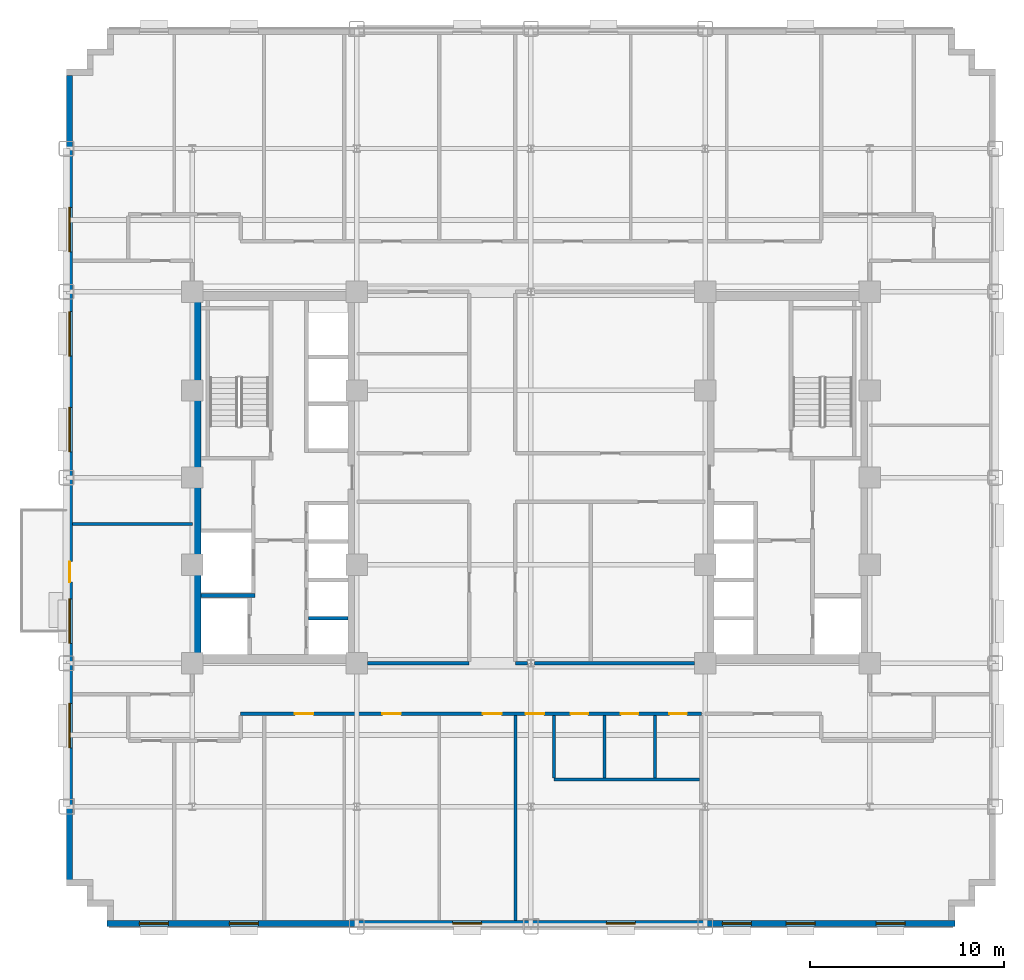
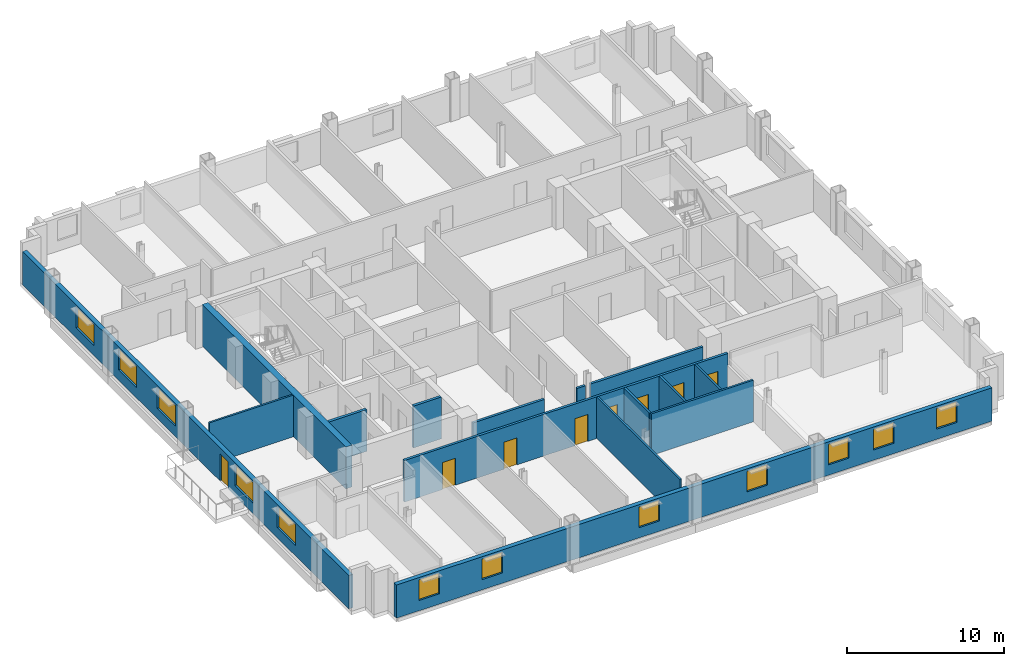
# One storey, part 6 of 14: 15 walls, 12 windows, 8 doors, 20 openings.
"""IFC4 building model written with IfcOpenShell, lengths in metres."""

from ifc_helpers import new_model, si_unit, direction, frame, frame_2d, origin, place, context, subcontext, project, spatial, rectangle, extrude, source, transform, mapped, material, layer, layer_set, type_object, type_shapes, element, fill, save


model = new_model("IFC4")

# Units and contexts
model_context = context("Model", 3, precision=1e-05, world=origin(), true_north=direction((0.0, 1.0)))
body_context = subcontext(model_context, "Body", "Model", "MODEL_VIEW")
ifc_project = project(units=[si_unit("LENGTHUNIT", "METRE"), si_unit("AREAUNIT", "SQUARE_METRE"), si_unit("VOLUMEUNIT", "CUBIC_METRE"), si_unit("PLANEANGLEUNIT", "RADIAN"), si_unit("MASSUNIT", "GRAM", prefix="KILO")], contexts=[model_context])

# Site, building, storey
site_placement = place(None, origin())
site = spatial("IfcSite", under=ifc_project, at=site_placement, CompositionType="ELEMENT")
building_placement = place(site_placement, origin())
building = spatial("IfcBuilding", under=site, at=building_placement, Name="Nuvemarco Arch Tower", CompositionType="ELEMENT")
storey_placement = place(building_placement, frame((0.0, 0.0, 89.64990234375)))
storey = spatial("IfcBuildingStorey", under=building, at=storey_placement, Name="L23", CompositionType="ELEMENT", Elevation=89.64990234375)

# Wall, openings, windows
ifc_material_1 = material(Name="Precast concrete C45/55", Category="concrete")
ifc_layer_1 = layer(ifc_material_1, 0.320068359375, Name="EW-MID-320")
ifc_layer_set_1 = layer_set([ifc_layer_1], Name="Precast concrete C45/55")
wall_type_1 = type_object("IfcWallType", Name="EW-MID-320", PredefinedType="STANDARD", material=ifc_layer_set_1)
wall_1_placement = place(storey_placement, frame((-21.89990234375, -23.0400390625, 0.0), z_axis=(0.0, 0.0, 1.0), x_axis=(1.0, 0.0, 0.0)))
wall_1 = element("IfcWall", 1, at=wall_1_placement, inside=storey, type_object=wall_type_1, Name="L23 exterior precast facade wall 1", PredefinedType="STANDARD", context=body_context, shape_type="SweptSolid", body=[
    extrude(rectangle(XDim=43.7998046875, YDim=0.320068359375, at=frame_2d((21.89990234375, 0.0))), origin(), (0.0, 0.0, 1.0), 2.585205078125),
])
opening_1_placement = place(wall_1_placement, frame((1.672119140625, 0.0, 0.800048828125)))
opening_1 = element("IfcOpeningElement", 2, at=opening_1_placement, cuts=wall_1, Name="Opening WN-11", PredefinedType="OPENING", context=body_context, shape_type="SweptSolid", body=[
    extrude(rectangle(XDim=1.5, YDim=1.60009765625, at=frame_2d((0.75, 0.800048828125))), frame((0.0, 0.169921875, 0.0), z_axis=(0.0, -1.0, 0.0), x_axis=(1.0, 0.0, 0.0)), (0.0, 0.0, 1.0), 0.340087890625),
])
opening_2_placement = place(wall_1_placement, frame((6.316650390625, 0.0, 0.800048828125)))
opening_2 = element("IfcOpeningElement", 3, at=opening_2_placement, cuts=wall_1, Name="Opening WN-11", PredefinedType="OPENING", context=body_context, shape_type="SweptSolid", body=[
    extrude(rectangle(XDim=1.5, YDim=1.60009765625, at=frame_2d((0.75, 0.800048828125))), frame((0.0, 0.169921875, 0.0), z_axis=(0.0, -1.0, 0.0), x_axis=(1.0, 0.0, 0.0)), (0.0, 0.0, 1.0), 0.340087890625),
])
opening_3_placement = place(wall_1_placement, frame((17.855712890625, 0.0, 0.800048828125)))
opening_3 = element("IfcOpeningElement", 4, at=opening_3_placement, cuts=wall_1, Name="Opening WN-11", PredefinedType="OPENING", context=body_context, shape_type="SweptSolid", body=[
    extrude(rectangle(XDim=1.5, YDim=1.60009765625, at=frame_2d((0.75, 0.800048828125))), frame((0.0, 0.169921875, 0.0), z_axis=(0.0, -1.0, 0.0), x_axis=(1.0, 0.0, 0.0)), (0.0, 0.0, 1.0), 0.340087890625),
])
opening_4_placement = place(wall_1_placement, frame((25.79443359375, 0.0, 0.800048828125)))
opening_4 = element("IfcOpeningElement", 5, at=opening_4_placement, cuts=wall_1, Name="Opening WN-11", PredefinedType="OPENING", context=body_context, shape_type="SweptSolid", body=[
    extrude(rectangle(XDim=1.5, YDim=1.60009765625, at=frame_2d((0.75, 0.800048828125))), frame((0.0, 0.169921875, 0.0), z_axis=(0.0, -1.0, 0.0), x_axis=(1.0, 0.0, 0.0)), (0.0, 0.0, 1.0), 0.340087890625),
])
opening_5_placement = place(wall_1_placement, frame((31.788818359375, 0.0, 0.800048828125)))
opening_5 = element("IfcOpeningElement", 6, at=opening_5_placement, cuts=wall_1, Name="Opening WN-11", PredefinedType="OPENING", context=body_context, shape_type="SweptSolid", body=[
    extrude(rectangle(XDim=1.5, YDim=1.60009765625, at=frame_2d((0.75, 0.800048828125))), frame((0.0, 0.169921875, 0.0), z_axis=(0.0, -1.0, 0.0), x_axis=(1.0, 0.0, 0.0)), (0.0, 0.0, 1.0), 0.340087890625),
])
opening_6_placement = place(wall_1_placement, frame((35.083251953125, 0.0, 0.800048828125)))
opening_6 = element("IfcOpeningElement", 7, at=opening_6_placement, cuts=wall_1, Name="Opening WN-11", PredefinedType="OPENING", context=body_context, shape_type="SweptSolid", body=[
    extrude(rectangle(XDim=1.5, YDim=1.60009765625, at=frame_2d((0.75, 0.800048828125))), frame((0.0, 0.169921875, 0.0), z_axis=(0.0, -1.0, 0.0), x_axis=(1.0, 0.0, 0.0)), (0.0, 0.0, 1.0), 0.340087890625),
])
opening_7_placement = place(wall_1_placement, frame((39.727783203125, 0.0, 0.800048828125)))
opening_7 = element("IfcOpeningElement", 8, at=opening_7_placement, cuts=wall_1, Name="Opening WN-11", PredefinedType="OPENING", context=body_context, shape_type="SweptSolid", body=[
    extrude(rectangle(XDim=1.5, YDim=1.60009765625, at=frame_2d((0.75, 0.800048828125))), frame((0.0, 0.169921875, 0.0), z_axis=(0.0, -1.0, 0.0), x_axis=(1.0, 0.0, 0.0)), (0.0, 0.0, 1.0), 0.340087890625),
])
ifc_material_2 = material(Name="Insulated solar-control glass", Category="glass")
window_type_1 = type_object("IfcWindowType", Name="WN-STEP-1500x1850", PartitioningType="SINGLE_PANEL", PredefinedType="WINDOW", material=ifc_material_2)
shared_shape_1 = source(origin(), body_context, "Body", "SweptSolid", [
    extrude(rectangle(XDim=1.5, YDim=1.60009765625, at=frame_2d((0.75, 0.800048828125))), frame((0.0, 0.030029296875, 0.0), z_axis=(0.0, -1.0, 0.0), x_axis=(1.0, 0.0, 0.0)), (0.0, 0.0, 1.0), 0.06005859375),
])
type_shapes(window_type_1, [shared_shape_1])
window_1_placement = place(opening_1_placement, origin())
window_1 = element("IfcWindow", 9, at=window_1_placement, inside=storey, type_object=window_type_1, Name="L23 punched facade window 1", OverallHeight=1.60009765625, OverallWidth=1.5, PartitioningType="SINGLE_PANEL", PredefinedType="WINDOW", context=body_context, shape_type="MappedRepresentation", body=[
    mapped(shared_shape_1, transform((0.0, 0.0, 0.0), scale=1.0)),
])
fill(opening_1, window_1)
window_2_placement = place(opening_2_placement, origin())
window_2 = element("IfcWindow", 10, at=window_2_placement, inside=storey, type_object=window_type_1, Name="L23 punched facade window 2", OverallHeight=1.60009765625, OverallWidth=1.5, PartitioningType="SINGLE_PANEL", PredefinedType="WINDOW", context=body_context, shape_type="MappedRepresentation", body=[
    mapped(shared_shape_1, transform((0.0, 0.0, 0.0), scale=1.0)),
])
fill(opening_2, window_2)
window_3_placement = place(opening_3_placement, origin())
window_3 = element("IfcWindow", 11, at=window_3_placement, inside=storey, type_object=window_type_1, Name="L23 punched facade window 4", OverallHeight=1.60009765625, OverallWidth=1.5, PartitioningType="SINGLE_PANEL", PredefinedType="WINDOW", context=body_context, shape_type="MappedRepresentation", body=[
    mapped(shared_shape_1, transform((0.0, 0.0, 0.0), scale=1.0)),
])
fill(opening_3, window_3)
window_4_placement = place(opening_4_placement, origin())
window_4 = element("IfcWindow", 12, at=window_4_placement, inside=storey, type_object=window_type_1, Name="L23 punched facade window 6", OverallHeight=1.60009765625, OverallWidth=1.5, PartitioningType="SINGLE_PANEL", PredefinedType="WINDOW", context=body_context, shape_type="MappedRepresentation", body=[
    mapped(shared_shape_1, transform((0.0, 0.0, 0.0), scale=1.0)),
])
fill(opening_4, window_4)
window_5_placement = place(opening_5_placement, origin())
window_5 = element("IfcWindow", 13, at=window_5_placement, inside=storey, type_object=window_type_1, Name="L23 punched facade window 7", OverallHeight=1.60009765625, OverallWidth=1.5, PartitioningType="SINGLE_PANEL", PredefinedType="WINDOW", context=body_context, shape_type="MappedRepresentation", body=[
    mapped(shared_shape_1, transform((0.0, 0.0, 0.0), scale=1.0)),
])
fill(opening_5, window_5)
window_6_placement = place(opening_6_placement, origin())
window_6 = element("IfcWindow", 14, at=window_6_placement, inside=storey, type_object=window_type_1, Name="L23 punched facade window 8", OverallHeight=1.60009765625, OverallWidth=1.5, PartitioningType="SINGLE_PANEL", PredefinedType="WINDOW", context=body_context, shape_type="MappedRepresentation", body=[
    mapped(shared_shape_1, transform((0.0, 0.0, 0.0), scale=1.0)),
])
fill(opening_6, window_6)
window_7_placement = place(opening_7_placement, origin())
window_7 = element("IfcWindow", 15, at=window_7_placement, inside=storey, type_object=window_type_1, Name="L23 punched facade window 9", OverallHeight=1.60009765625, OverallWidth=1.5, PartitioningType="SINGLE_PANEL", PredefinedType="WINDOW", context=body_context, shape_type="MappedRepresentation", body=[
    mapped(shared_shape_1, transform((0.0, 0.0, 0.0), scale=1.0)),
])
fill(opening_7, window_7)

# Wall, openings, door, windows
wall_2_placement = place(storey_placement, frame((-23.840087890625, -20.783935546875, 0.0), z_axis=(0.0, 0.0, 1.0), x_axis=(0.0, 1.0, 0.0)))
wall_2 = element("IfcWall", 16, at=wall_2_placement, inside=storey, type_object=wall_type_1, Name="L23 exterior precast facade wall 16", PredefinedType="STANDARD", context=body_context, shape_type="SweptSolid", body=[
    extrude(rectangle(XDim=41.56787109375, YDim=0.320068359375, at=frame_2d((20.783935546875, 0.0))), origin(), (0.0, 0.0, 1.0), 2.585205078125),
])
opening_8_placement = place(wall_2_placement, frame((15.384033203125, 0.0, 0.0)))
opening_8 = element("IfcOpeningElement", 17, at=opening_8_placement, cuts=wall_2, Name="Opening ED-5", PredefinedType="OPENING", context=body_context, shape_type="SweptSolid", body=[
    extrude(rectangle(XDim=1.050048828125, YDim=2.10009765625, at=frame_2d((0.52490234375, 1.050048828125))), frame((0.0, 0.169921875, 0.0), z_axis=(0.0, -1.0, 0.0), x_axis=(1.0, 0.0, 0.0)), (0.0, 0.0, 1.0), 0.340087890625),
])
opening_9_placement = place(wall_2_placement, frame((6.819091796875, 0.0, 0.800048828125)))
opening_9 = element("IfcOpeningElement", 18, at=opening_9_placement, cuts=wall_2, Name="Opening WN-10", PredefinedType="OPENING", context=body_context, shape_type="SweptSolid", body=[
    extrude(rectangle(XDim=2.300048828125, YDim=1.6201171875, at=frame_2d((1.14990234375, 0.81005859375))), frame((0.0, 0.169921875, 0.0), z_axis=(0.0, -1.0, 0.0), x_axis=(1.0, 0.0, 0.0)), (0.0, 0.0, 1.0), 0.340087890625),
])
opening_10_placement = place(wall_2_placement, frame((12.215087890625, 0.0, 0.800048828125)))
opening_10 = element("IfcOpeningElement", 19, at=opening_10_placement, cuts=wall_2, Name="Opening WN-10", PredefinedType="OPENING", context=body_context, shape_type="SweptSolid", body=[
    extrude(rectangle(XDim=2.300048828125, YDim=1.6201171875, at=frame_2d((1.14990234375, 0.81005859375))), frame((0.0, 0.169921875, 0.0), z_axis=(0.0, -1.0, 0.0), x_axis=(1.0, 0.0, 0.0)), (0.0, 0.0, 1.0), 0.340087890625),
])
opening_11_placement = place(wall_2_placement, frame((22.10693359375, 0.0, 0.800048828125)))
opening_11 = element("IfcOpeningElement", 20, at=opening_11_placement, cuts=wall_2, Name="Opening WN-10", PredefinedType="OPENING", context=body_context, shape_type="SweptSolid", body=[
    extrude(rectangle(XDim=2.300048828125, YDim=1.6201171875, at=frame_2d((1.14990234375, 0.81005859375))), frame((0.0, 0.169921875, 0.0), z_axis=(0.0, -1.0, 0.0), x_axis=(1.0, 0.0, 0.0)), (0.0, 0.0, 1.0), 0.340087890625),
])
opening_12_placement = place(wall_2_placement, frame((27.052978515625, 0.0, 0.800048828125)))
opening_12 = element("IfcOpeningElement", 21, at=opening_12_placement, cuts=wall_2, Name="Opening WN-10", PredefinedType="OPENING", context=body_context, shape_type="SweptSolid", body=[
    extrude(rectangle(XDim=2.300048828125, YDim=1.6201171875, at=frame_2d((1.14990234375, 0.81005859375))), frame((0.0, 0.169921875, 0.0), z_axis=(0.0, -1.0, 0.0), x_axis=(1.0, 0.0, 0.0)), (0.0, 0.0, 1.0), 0.340087890625),
])
opening_13_placement = place(wall_2_placement, frame((32.448974609375, 0.0, 0.800048828125)))
opening_13 = element("IfcOpeningElement", 22, at=opening_13_placement, cuts=wall_2, Name="Opening WN-10", PredefinedType="OPENING", context=body_context, shape_type="SweptSolid", body=[
    extrude(rectangle(XDim=2.300048828125, YDim=1.6201171875, at=frame_2d((1.14990234375, 0.81005859375))), frame((0.0, 0.169921875, 0.0), z_axis=(0.0, -1.0, 0.0), x_axis=(1.0, 0.0, 0.0)), (0.0, 0.0, 1.0), 0.340087890625),
])
ifc_material_3 = material(Name="Anodised bronze and laminated glass", Category="glass")
door_type_1 = type_object("IfcDoorType", Name="DR-EXT-TERR", OperationType="NOTDEFINED", PredefinedType="DOOR", material=ifc_material_3)
shared_shape_2 = source(origin(), body_context, "Body", "SweptSolid", [
    extrude(rectangle(XDim=1.050048828125, YDim=2.10009765625, at=frame_2d((0.52490234375, 1.050048828125))), frame((0.0, 0.02490234375, 0.0), z_axis=(0.0, -1.0, 0.0), x_axis=(1.0, 0.0, 0.0)), (0.0, 0.0, 1.0), 0.050048828125),
])
type_shapes(door_type_1, [shared_shape_2])
door_1_placement = place(opening_8_placement, origin())
door_1 = element("IfcDoor", 23, at=door_1_placement, inside=storey, type_object=door_type_1, Name="L23 spiral terrace access door", OperationType="SINGLE_SWING_LEFT", OverallHeight=2.10009765625, OverallWidth=1.050048828125, PredefinedType="DOOR", context=body_context, shape_type="MappedRepresentation", body=[
    mapped(shared_shape_2, transform((0.0, 0.0, 0.0), scale=1.0)),
])
fill(opening_8, door_1)
window_type_2 = type_object("IfcWindowType", Name="WN-STEP-2300x1700", PartitioningType="DOUBLE_PANEL_VERTICAL", PredefinedType="WINDOW", material=ifc_material_2)
shared_shape_3 = source(origin(), body_context, "Body", "SweptSolid", [
    extrude(rectangle(XDim=2.300048828125, YDim=1.6201171875, at=frame_2d((1.14990234375, 0.81005859375))), frame((0.0, 0.030029296875, 0.0), z_axis=(0.0, -1.0, 0.0), x_axis=(1.0, 0.0, 0.0)), (0.0, 0.0, 1.0), 0.06005859375),
])
type_shapes(window_type_2, [shared_shape_3])
window_8_placement = place(opening_9_placement, origin())
window_8 = element("IfcWindow", 24, at=window_8_placement, inside=storey, type_object=window_type_2, Name="L23 punched facade window 2", OverallHeight=1.6201171875, OverallWidth=2.300048828125, PartitioningType="SINGLE_PANEL", PredefinedType="WINDOW", context=body_context, shape_type="MappedRepresentation", body=[
    mapped(shared_shape_3, transform((0.0, 0.0, 0.0), scale=1.0)),
])
fill(opening_9, window_8)
window_9_placement = place(opening_10_placement, origin())
window_9 = element("IfcWindow", 25, at=window_9_placement, inside=storey, type_object=window_type_2, Name="L23 punched facade window 3", OverallHeight=1.6201171875, OverallWidth=2.300048828125, PartitioningType="SINGLE_PANEL", PredefinedType="WINDOW", context=body_context, shape_type="MappedRepresentation", body=[
    mapped(shared_shape_3, transform((0.0, 0.0, 0.0), scale=1.0)),
])
fill(opening_10, window_9)
window_10_placement = place(opening_11_placement, origin())
window_10 = element("IfcWindow", 26, at=window_10_placement, inside=storey, type_object=window_type_2, Name="L23 punched facade window 5", OverallHeight=1.6201171875, OverallWidth=2.300048828125, PartitioningType="SINGLE_PANEL", PredefinedType="WINDOW", context=body_context, shape_type="MappedRepresentation", body=[
    mapped(shared_shape_3, transform((0.0, 0.0, 0.0), scale=1.0)),
])
fill(opening_11, window_10)
window_11_placement = place(opening_12_placement, origin())
window_11 = element("IfcWindow", 27, at=window_11_placement, inside=storey, type_object=window_type_2, Name="L23 punched facade window 6", OverallHeight=1.6201171875, OverallWidth=2.300048828125, PartitioningType="SINGLE_PANEL", PredefinedType="WINDOW", context=body_context, shape_type="MappedRepresentation", body=[
    mapped(shared_shape_3, transform((0.0, 0.0, 0.0), scale=1.0)),
])
fill(opening_12, window_11)
window_12_placement = place(opening_13_placement, origin())
window_12 = element("IfcWindow", 28, at=window_12_placement, inside=storey, type_object=window_type_2, Name="L23 punched facade window 7", OverallHeight=1.6201171875, OverallWidth=2.300048828125, PartitioningType="SINGLE_PANEL", PredefinedType="WINDOW", context=body_context, shape_type="MappedRepresentation", body=[
    mapped(shared_shape_3, transform((0.0, 0.0, 0.0), scale=1.0)),
])
fill(opening_13, window_12)

# Wall
ifc_material_4 = material(Name="Concrete C60/75", Category="concrete")
ifc_layer_2 = layer(ifc_material_4, 0.449951171875, Name="WL-CORE-450")
ifc_layer_set_2 = layer_set([ifc_layer_2], Name="Concrete C60/75")
wall_type_2 = type_object("IfcWallType", Name="WL-CORE-450", PredefinedType="SHEAR", material=ifc_layer_set_2)
wall_3_placement = place(storey_placement, frame((-17.27490234375, -9.155029296875, 0.0), z_axis=(0.0, 0.0, 1.0), x_axis=(0.0, 1.0, 0.0)))
element("IfcWall", 29, at=wall_3_placement, inside=storey, type_object=wall_type_2, Name="L23 W-core shear wall W", PredefinedType="SHEAR", context=body_context, shape_type="SweptSolid", body=[
    extrude(rectangle(XDim=18.31005859375, YDim=0.449951171875, at=frame_2d((9.155029296875, 0.0))), origin(), (0.0, 0.0, 1.0), 3.25),
])

# Wall, openings, doors
ifc_material_5 = material(Name="Fire-rated gypsum drywall partition")
ifc_layer_3 = layer(ifc_material_5, 0.179931640625, Name="WL-CORR-180")
ifc_layer_set_3 = layer_set([ifc_layer_3], Name="Fire-rated gypsum drywall partition")
wall_type_3 = type_object("IfcWallType", Name="WL-CORR-180", PredefinedType="PARTITIONING", material=ifc_layer_set_3)
wall_4_placement = place(storey_placement, frame((-15.0, -12.199951171875, 0.0), z_axis=(0.0, 0.0, 1.0), x_axis=(1.0, 0.0, 0.0)))
wall_4 = element("IfcWall", 30, at=wall_4_placement, inside=storey, type_object=wall_type_3, Name="L23 interior wall IW-L23-004", PredefinedType="PARTITIONING", context=body_context, shape_type="SweptSolid", body=[
    extrude(rectangle(XDim=23.800048828125, YDim=0.179931640625, at=frame_2d((11.89990234375, 0.0))), origin(), (0.0, 0.0, 1.0), 3.239990234375),
])
opening_14_placement = place(wall_4_placement, frame((7.324951171875, 0.0, 0.0)))
opening_14 = element("IfcOpeningElement", 31, at=opening_14_placement, cuts=wall_4, Name="Opening FD-5", PredefinedType="OPENING", context=body_context, shape_type="SweptSolid", body=[
    extrude(rectangle(XDim=0.9599609375, YDim=2.10009765625, at=frame_2d((0.47998046875, 1.050048828125))), frame((0.0, 0.099853515625, 0.0), z_axis=(0.0, -1.0, 0.0), x_axis=(1.0, 0.0, 0.0)), (0.0, 0.0, 1.0), 0.199951171875),
])
opening_15_placement = place(wall_4_placement, frame((2.800048828125, 0.0, 0.0)))
opening_15 = element("IfcOpeningElement", 32, at=opening_15_placement, cuts=wall_4, Name="Opening FD-5", PredefinedType="OPENING", context=body_context, shape_type="SweptSolid", body=[
    extrude(rectangle(XDim=0.9599609375, YDim=2.10009765625, at=frame_2d((0.47998046875, 1.050048828125))), frame((0.0, 0.099853515625, 0.0), z_axis=(0.0, -1.0, 0.0), x_axis=(1.0, 0.0, 0.0)), (0.0, 0.0, 1.0), 0.199951171875),
])
opening_16_placement = place(wall_4_placement, frame((19.64990234375, 0.0, 0.0)))
opening_16 = element("IfcOpeningElement", 33, at=opening_16_placement, cuts=wall_4, Name="Opening ID-3", PredefinedType="OPENING", context=body_context, shape_type="SweptSolid", body=[
    extrude(rectangle(XDim=0.89990234375, YDim=2.10009765625, at=frame_2d((0.449951171875, 1.050048828125))), frame((0.0, 0.099853515625, 0.0), z_axis=(0.0, -1.0, 0.0), x_axis=(1.0, 0.0, 0.0)), (0.0, 0.0, 1.0), 0.199951171875),
])
opening_17_placement = place(wall_4_placement, frame((17.050048828125, 0.0, 0.0)))
opening_17 = element("IfcOpeningElement", 34, at=opening_17_placement, cuts=wall_4, Name="Opening ID-3", PredefinedType="OPENING", context=body_context, shape_type="SweptSolid", body=[
    extrude(rectangle(XDim=0.89990234375, YDim=2.10009765625, at=frame_2d((0.449951171875, 1.050048828125))), frame((0.0, 0.099853515625, 0.0), z_axis=(0.0, -1.0, 0.0), x_axis=(1.0, 0.0, 0.0)), (0.0, 0.0, 1.0), 0.199951171875),
])
opening_18_placement = place(wall_4_placement, frame((22.14990234375, 0.0, 0.0)))
opening_18 = element("IfcOpeningElement", 35, at=opening_18_placement, cuts=wall_4, Name="Opening ID-3", PredefinedType="OPENING", context=body_context, shape_type="SweptSolid", body=[
    extrude(rectangle(XDim=0.89990234375, YDim=2.10009765625, at=frame_2d((0.449951171875, 1.050048828125))), frame((0.0, 0.099853515625, 0.0), z_axis=(0.0, -1.0, 0.0), x_axis=(1.0, 0.0, 0.0)), (0.0, 0.0, 1.0), 0.199951171875),
])
opening_19_placement = place(wall_4_placement, frame((12.52001953125, 0.0, 0.0)))
opening_19 = element("IfcOpeningElement", 36, at=opening_19_placement, cuts=wall_4, Name="Opening FD-5", PredefinedType="OPENING", context=body_context, shape_type="SweptSolid", body=[
    extrude(rectangle(XDim=0.9599609375, YDim=2.10009765625, at=frame_2d((0.47998046875, 1.050048828125))), frame((0.0, 0.099853515625, 0.0), z_axis=(0.0, -1.0, 0.0), x_axis=(1.0, 0.0, 0.0)), (0.0, 0.0, 1.0), 0.199951171875),
])
opening_20_placement = place(wall_4_placement, frame((14.719970703125, 0.0, 0.0)))
opening_20 = element("IfcOpeningElement", 37, at=opening_20_placement, cuts=wall_4, Name="Opening FD-5", PredefinedType="OPENING", context=body_context, shape_type="SweptSolid", body=[
    extrude(rectangle(XDim=0.9599609375, YDim=2.10009765625, at=frame_2d((0.47998046875, 1.050048828125))), frame((0.0, 0.099853515625, 0.0), z_axis=(0.0, -1.0, 0.0), x_axis=(1.0, 0.0, 0.0)), (0.0, 0.0, 1.0), 0.199951171875),
])
ifc_material_6 = material(Name="Timber fire door", Category="wood")
door_type_2 = type_object("IfcDoorType", Name="DR-CORR-FD", OperationType="NOTDEFINED", PredefinedType="DOOR", material=ifc_material_6)
shared_shape_4 = source(origin(), body_context, "Body", "SweptSolid", [
    extrude(rectangle(XDim=0.9599609375, YDim=2.10009765625, at=frame_2d((0.47998046875, 1.050048828125))), frame((0.0, 0.02490234375, 0.0), z_axis=(0.0, -1.0, 0.0), x_axis=(1.0, 0.0, 0.0)), (0.0, 0.0, 1.0), 0.050048828125),
])
type_shapes(door_type_2, [shared_shape_4])
door_2_placement = place(opening_14_placement, origin())
door_2 = element("IfcDoor", 38, at=door_2_placement, inside=storey, type_object=door_type_2, Name="L23 door DR-L23-S_4", OperationType="SINGLE_SWING_RIGHT", OverallHeight=2.10009765625, OverallWidth=0.9599609375, PredefinedType="DOOR", context=body_context, shape_type="MappedRepresentation", body=[
    mapped(shared_shape_4, transform((0.0, 0.0, 0.0), scale=1.0)),
])
fill(opening_14, door_2)
door_3_placement = place(opening_15_placement, origin())
door_3 = element("IfcDoor", 39, at=door_3_placement, inside=storey, type_object=door_type_2, Name="L23 door DR-L23-S_3", OperationType="SINGLE_SWING_RIGHT", OverallHeight=2.10009765625, OverallWidth=0.9599609375, PredefinedType="DOOR", context=body_context, shape_type="MappedRepresentation", body=[
    mapped(shared_shape_4, transform((0.0, 0.0, 0.0), scale=1.0)),
])
fill(opening_15, door_3)
door_4_placement = place(opening_19_placement, origin())
door_4 = element("IfcDoor", 40, at=door_4_placement, inside=storey, type_object=door_type_2, Name="L23 door DR-L23-S_5", OperationType="SINGLE_SWING_LEFT", OverallHeight=2.10009765625, OverallWidth=0.9599609375, PredefinedType="DOOR", context=body_context, shape_type="MappedRepresentation", body=[
    mapped(shared_shape_4, transform((0.0, 0.0, 0.0), scale=1.0)),
])
fill(opening_19, door_4)
door_5_placement = place(opening_20_placement, origin())
door_5 = element("IfcDoor", 41, at=door_5_placement, inside=storey, type_object=door_type_2, Name="L23 door DR-L23-S_6", OperationType="SINGLE_SWING_LEFT", OverallHeight=2.10009765625, OverallWidth=0.9599609375, PredefinedType="DOOR", context=body_context, shape_type="MappedRepresentation", body=[
    mapped(shared_shape_4, transform((0.0, 0.0, 0.0), scale=1.0)),
])
fill(opening_20, door_5)
ifc_material_7 = material(Name="Veneered oak timber fire door", Category="wood")
door_type_3 = type_object("IfcDoorType", Name="DR-WC-ACC", OperationType="NOTDEFINED", PredefinedType="DOOR", material=ifc_material_7)
shared_shape_5 = source(origin(), body_context, "Body", "SweptSolid", [
    extrude(rectangle(XDim=0.89990234375, YDim=2.10009765625, at=frame_2d((0.449951171875, 1.050048828125))), frame((0.0, 0.02490234375, 0.0), z_axis=(0.0, -1.0, 0.0), x_axis=(1.0, 0.0, 0.0)), (0.0, 0.0, 1.0), 0.050048828125),
])
type_shapes(door_type_3, [shared_shape_5])
door_6_placement = place(opening_16_placement, origin())
door_6 = element("IfcDoor", 42, at=door_6_placement, inside=storey, type_object=door_type_3, Name="L23 door DR-L23-WC_F", OperationType="SINGLE_SWING_LEFT", OverallHeight=2.10009765625, OverallWidth=0.89990234375, PredefinedType="DOOR", context=body_context, shape_type="MappedRepresentation", body=[
    mapped(shared_shape_5, transform((0.0, 0.0, 0.0), scale=1.0)),
])
fill(opening_16, door_6)
door_7_placement = place(opening_17_placement, origin())
door_7 = element("IfcDoor", 43, at=door_7_placement, inside=storey, type_object=door_type_3, Name="L23 door DR-L23-WC_M", OperationType="SINGLE_SWING_RIGHT", OverallHeight=2.10009765625, OverallWidth=0.89990234375, PredefinedType="DOOR", context=body_context, shape_type="MappedRepresentation", body=[
    mapped(shared_shape_5, transform((0.0, 0.0, 0.0), scale=1.0)),
])
fill(opening_17, door_7)
door_8_placement = place(opening_18_placement, origin())
door_8 = element("IfcDoor", 44, at=door_8_placement, inside=storey, type_object=door_type_3, Name="L23 door DR-L23-WC_ACC", OperationType="SINGLE_SWING_LEFT", OverallHeight=2.10009765625, OverallWidth=0.89990234375, PredefinedType="DOOR", context=body_context, shape_type="MappedRepresentation", body=[
    mapped(shared_shape_5, transform((0.0, 0.0, 0.0), scale=1.0)),
])
fill(opening_18, door_8)

# Walls
wall_5_placement = place(storey_placement, frame((-8.4541015625, -9.60009765625, 0.0), z_axis=(0.0, 0.0, 1.0), x_axis=(1.0, 0.0, 0.0)))
element("IfcWall", 45, at=wall_5_placement, inside=storey, type_object=wall_type_3, Name="L23 interior wall IW-L23-008", PredefinedType="PARTITIONING", context=body_context, shape_type="SweptSolid", body=[
    extrude(rectangle(XDim=5.254150390625, YDim=0.179931640625, at=frame_2d((2.626953125, 0.0))), origin(), (0.0, 0.0, 1.0), 2.28515625),
])
wall_6_placement = place(storey_placement, frame((-0.800048828125, -9.60009765625, 0.0), z_axis=(0.0, 0.0, 1.0), x_axis=(1.0, 0.0, 0.0)))
element("IfcWall", 46, at=wall_6_placement, inside=storey, type_object=wall_type_3, Name="L23 interior wall IW-L23-009", PredefinedType="PARTITIONING", context=body_context, shape_type="SweptSolid", body=[
    extrude(rectangle(XDim=0.6240234375, YDim=0.179931640625, at=frame_2d((0.31201171875, 0.0))), origin(), (0.0, 0.0, 1.0), 2.28515625),
])
wall_7_placement = place(storey_placement, frame((0.176025390625, -9.60009765625, 0.0), z_axis=(0.0, 0.0, 1.0), x_axis=(1.0, 0.0, 0.0)))
element("IfcWall", 47, at=wall_7_placement, inside=storey, type_object=wall_type_3, Name="L23 interior wall IW-L23-010", PredefinedType="PARTITIONING", context=body_context, shape_type="SweptSolid", body=[
    extrude(rectangle(XDim=8.278076171875, YDim=0.179931640625, at=frame_2d((4.13916015625, 0.0))), origin(), (0.0, 0.0, 1.0), 2.28515625),
])
ifc_material_8 = material(Name="Gypsum plasterboard partition")
ifc_layer_4 = layer(ifc_material_8, 0.139892578125, Name="WL-ROOM-140")
ifc_layer_set_4 = layer_set([ifc_layer_4], Name="Gypsum plasterboard partition")
wall_type_4 = type_object("IfcWallType", Name="WL-ROOM-140", PredefinedType="PARTITIONING", material=ifc_layer_set_4)
wall_8_placement = place(storey_placement, frame((-23.679931640625, -2.39990234375, 0.0), z_axis=(0.0, 0.0, 1.0), x_axis=(1.0, 0.0, 0.0)))
element("IfcWall", 48, at=wall_8_placement, inside=storey, type_object=wall_type_4, Name="L23 interior wall IW-L23-011", PredefinedType="PARTITIONING", context=body_context, shape_type="SweptSolid", body=[
    extrude(rectangle(XDim=6.179931640625, YDim=0.139892578125, at=frame_2d((3.08984375, 0.0))), origin(), (0.0, 0.0, 1.0), 3.239990234375),
])
wall_9_placement = place(storey_placement, frame((-0.800048828125, -22.8798828125, 0.0), z_axis=(0.0, 0.0, 1.0), x_axis=(0.0, 1.0, 0.0)))
element("IfcWall", 49, at=wall_9_placement, inside=storey, type_object=wall_type_4, Name="L23 interior wall IW-L23-042", PredefinedType="PARTITIONING", context=body_context, shape_type="SweptSolid", body=[
    extrude(rectangle(XDim=10.593994140625, YDim=0.139892578125, at=frame_2d((5.296875, 0.0))), origin(), (0.0, 0.0, 1.0), 3.239990234375),
])
ifc_material_9 = material(Name="Concrete C50/60", Category="concrete")
ifc_layer_5 = layer(ifc_material_9, 0.199951171875, Name="WL-SHAFT-220")
ifc_layer_set_5 = layer_set([ifc_layer_5], Name="Concrete C50/60")
wall_type_5 = type_object("IfcWallType", Name="WL-SHAFT-220", PredefinedType="SHEAR", material=ifc_layer_set_5)
wall_10_placement = place(storey_placement, frame((-17.054931640625, -6.10009765625, 0.0), z_axis=(0.0, 0.0, 1.0), x_axis=(1.0, 0.0, 0.0)))
element("IfcWall", 50, at=wall_10_placement, inside=storey, type_object=wall_type_5, Name="L23 structural shaft wall SW-L23-W-SH1", PredefinedType="SHEAR", context=body_context, shape_type="SweptSolid", body=[
    extrude(rectangle(XDim=2.804931640625, YDim=0.199951171875, at=frame_2d((1.40234375, 0.0))), origin(), (0.0, 0.0, 1.0), 3.25),
])
wall_11_placement = place(storey_placement, frame((-11.5048828125, -7.27001953125, 0.0), z_axis=(0.0, 0.0, 1.0), x_axis=(1.0, 0.0, 0.0)))
element("IfcWall", 51, at=wall_11_placement, inside=storey, type_object=wall_type_5, Name="L23 structural shaft wall SW-L23-W-PLD1", PredefinedType="SHEAR", context=body_context, shape_type="SweptSolid", body=[
    extrude(rectangle(XDim=2.059814453125, YDim=0.199951171875, at=frame_2d((1.02978515625, 0.0))), origin(), (0.0, 0.0, 1.0), 3.25),
])
ifc_material_10 = material(Name="Moisture-resistant gypsum partition")
ifc_layer_6 = layer(ifc_material_10, 0.14990234375, Name="WL-WET-150")
ifc_layer_set_6 = layer_set([ifc_layer_6], Name="Moisture-resistant gypsum partition")
wall_type_6 = type_object("IfcWallType", Name="WL-WET-150", PredefinedType="PARTITIONING", material=ifc_layer_set_6)
wall_12_placement = place(storey_placement, frame((1.199951171875, -15.60009765625, 0.0), z_axis=(0.0, 0.0, 1.0), x_axis=(1.0, 0.0, 0.0)))
element("IfcWall", 52, at=wall_12_placement, inside=storey, type_object=wall_type_6, Name="L23 interior wall IW-L23-001", PredefinedType="PARTITIONING", context=body_context, shape_type="SweptSolid", body=[
    extrude(rectangle(XDim=7.51416015625, YDim=0.14990234375, at=frame_2d((3.757080078125, 0.0))), origin(), (0.0, 0.0, 1.0), 3.239990234375),
])
for number, where, z_axis, x_axis, name in (
    (53, (1.199951171875, -15.529052734375, 0.0), (0.0, 0.0, 1.0), (0.0, 1.0, 0.0), "L23 interior wall IW-L23-046"),
    (54, (3.800048828125, -15.529052734375, 0.0), (0.0, 0.0, 1.0), (0.0, 1.0, 0.0), "L23 interior wall IW-L23-048"),
    (55, (6.39990234375, -15.529052734375, 0.0), (0.0, 0.0, 1.0), (0.0, 1.0, 0.0), "L23 interior wall IW-L23-050"),
):
    element("IfcWall", number, at=place(storey_placement, frame(where, z_axis=z_axis, x_axis=x_axis)), inside=storey, type_object=wall_type_6, Name=name, PredefinedType="PARTITIONING", context=body_context, shape_type="SweptSolid", body=[
        extrude(rectangle(XDim=3.2431640625, YDim=0.14990234375, at=frame_2d((1.62158203125, 0.0))), origin(), (0.0, 0.0, 1.0), 3.239990234375),
    ])

save(model, "model.ifc")
